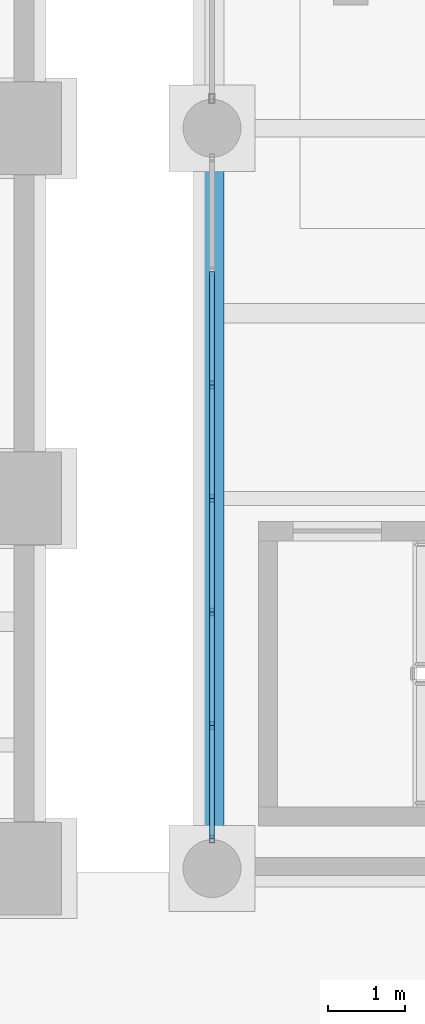
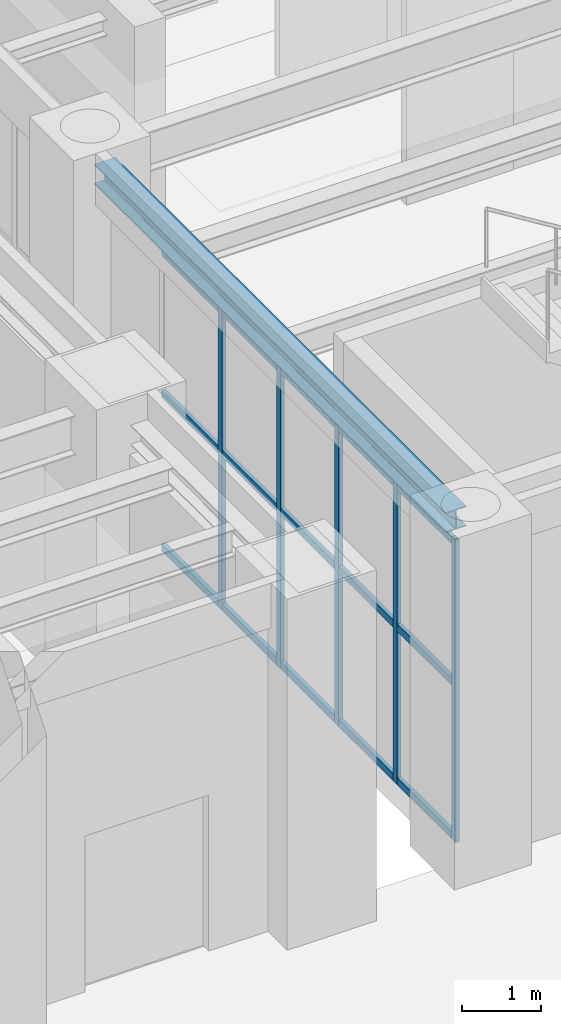
# One storey, part 41 of 164: 20 members, 1 beam, 1 element without a shape of its own.
"""IFC4 building model written with IfcOpenShell, lengths in metres."""

from ifc_helpers import new_model, si_unit, direction, frame, origin, origin_2d, place, context, subcontext, project, spatial, hollow_rectangle, i_section, extrude, material, material_profile, profile_set, type_object, element, aggregate, save


model = new_model("IFC4")

# Units and contexts
model_context = context("Model", 3, precision=1e-05, world=origin(), true_north=direction((0.0, 1.0)))
body_context = subcontext(model_context, "Body", "Model", "MODEL_VIEW")
ifc_project = project(units=[si_unit("LENGTHUNIT", "METRE"), si_unit("AREAUNIT", "SQUARE_METRE"), si_unit("VOLUMEUNIT", "CUBIC_METRE"), si_unit("PLANEANGLEUNIT", "RADIAN"), si_unit("MASSUNIT", "GRAM", prefix="KILO")], contexts=[model_context])

# Site, building, storey
site_placement = place(None, origin())
site = spatial("IfcSite", under=ifc_project, at=site_placement, CompositionType="ELEMENT")
building_placement = place(site_placement, origin())
building = spatial("IfcBuilding", under=site, at=building_placement, Name="Mavantir Sound Aquarium", CompositionType="ELEMENT")
storey_placement = place(building_placement, origin())
storey = spatial("IfcBuildingStorey", under=building, at=storey_placement, Name="L00", CompositionType="ELEMENT", Elevation=0.0)

# Beam
ifc_material_1 = material(Name="Structural Steel ASTM A992 Gr50", Category="steel")
ifc_material_profile_1 = material_profile(ifc_material_1, i_section(OverallWidth=0.304931640625, OverallDepth=0.30810546875, WebThickness=0.010009765625, FlangeThickness=0.015380859375, FilletRadius=0.014892578125, at=origin_2d()), Name="W310X97")
ifc_profile_set_1 = profile_set([ifc_material_profile_1], Name="Structural Steel ASTM A992 Gr50")
beam_type = type_object("IfcBeamType", Name="BM-W310X97-E", PredefinedType="SPANDREL", material=ifc_profile_set_1)
beam_placement = place(storey_placement, frame((36.0, 41.175048828125, 4.94189453125), z_axis=(0.0, 1.0, 0.0), x_axis=(-1.0, 0.0, 0.0)))
element("IfcBeam", 1, at=beam_placement, inside=storey, type_object=beam_type, Name="L00 primary girder SS-31A 877", PredefinedType="SPANDREL", context=body_context, shape_type="SweptSolid", body=[
    extrude(i_section(OverallWidth=0.304931640625, OverallDepth=0.30810546875, WebThickness=0.010009765625, FlangeThickness=0.015380859375, FilletRadius=0.014892578125, at=origin_2d()), origin(), (0.0, 0.0, 1.0), 8.849853515625),
])

# Curtain wall, members
ifc_material_2 = material(Name="Anodised Marine Aluminium and Low-E Glass", Category="aluminium")
curtain_wall_type = type_object("IfcCurtainWallType", Name="CW-T05", PredefinedType="USERDEFINED", material=ifc_material_2)
curtain_wall_placement = place(storey_placement, origin())
curtain_wall = element("IfcCurtainWall", 2, at=curtain_wall_placement, inside=storey, type_object=curtain_wall_type, Name="L00 unitised curtain wall CW-05 5", ObjectType="UNITISED GLAZING", PredefinedType="USERDEFINED")
ifc_material_3 = material(Name="Anodised Marine Aluminium 6063-T6", Category="aluminium")
ifc_material_profile_2 = material_profile(ifc_material_3, hollow_rectangle(XDim=0.06005859375, YDim=0.10009765625, WallThickness=0.00390625, at=origin_2d()), Name="ALU-MULLION-100X60")
ifc_profile_set_2 = profile_set([ifc_material_profile_2], Name="Anodised Marine Aluminium 6063-T6")
member_type_1 = type_object("IfcMemberType", Name="CW-MUL-100", PredefinedType="MULLION", material=ifc_profile_set_2)
member_1_placement = place(storey_placement, frame((36.0, 47.072265625, 0.0), z_axis=(0.0, 0.0, 1.0), x_axis=(1.0, 0.0, 0.0)))
member_1 = element("IfcMember", 3, at=member_1_placement, type_object=member_type_1, Name="CW-L00-005 vertical mullion 3", PredefinedType="MULLION", context=body_context, shape_type="SweptSolid", body=[
    extrude(hollow_rectangle(XDim=0.06005859375, YDim=0.10009765625, WallThickness=0.00390625, at=origin_2d()), origin(), (0.0, 0.0, 1.0), 4.64892578125),
])
member_2_placement = place(storey_placement, frame((36.0, 45.60009765625, 0.0), z_axis=(0.0, 0.0, 1.0), x_axis=(1.0, 0.0, 0.0)))
member_2 = element("IfcMember", 4, at=member_2_placement, type_object=member_type_1, Name="CW-L00-005 vertical mullion 4", PredefinedType="MULLION", context=body_context, shape_type="SweptSolid", body=[
    extrude(hollow_rectangle(XDim=0.06005859375, YDim=0.10009765625, WallThickness=0.00390625, at=origin_2d()), origin(), (0.0, 0.0, 1.0), 4.64892578125),
])
member_3_placement = place(storey_placement, frame((36.0, 44.127685546875, 0.0), z_axis=(0.0, 0.0, 1.0), x_axis=(1.0, 0.0, 0.0)))
member_3 = element("IfcMember", 5, at=member_3_placement, type_object=member_type_1, Name="CW-L00-005 vertical mullion 5", PredefinedType="MULLION", context=body_context, shape_type="SweptSolid", body=[
    extrude(hollow_rectangle(XDim=0.06005859375, YDim=0.10009765625, WallThickness=0.00390625, at=origin_2d()), origin(), (0.0, 0.0, 1.0), 4.64892578125),
])
member_4_placement = place(storey_placement, frame((36.0, 42.6552734375, 0.0), z_axis=(0.0, 0.0, 1.0), x_axis=(1.0, 0.0, 0.0)))
member_4 = element("IfcMember", 6, at=member_4_placement, type_object=member_type_1, Name="CW-L00-005 vertical mullion 6", PredefinedType="MULLION", context=body_context, shape_type="SweptSolid", body=[
    extrude(hollow_rectangle(XDim=0.06005859375, YDim=0.10009765625, WallThickness=0.00390625, at=origin_2d()), origin(), (0.0, 0.0, 1.0), 4.64892578125),
])
member_5_placement = place(storey_placement, frame((36.0, 41.18310546875, 0.0), z_axis=(0.0, 0.0, 1.0), x_axis=(1.0, 0.0, 0.0)))
member_5 = element("IfcMember", 7, at=member_5_placement, type_object=member_type_1, Name="CW-L00-005 vertical mullion 7", PredefinedType="MULLION", context=body_context, shape_type="SweptSolid", body=[
    extrude(hollow_rectangle(XDim=0.06005859375, YDim=0.10009765625, WallThickness=0.00390625, at=origin_2d()), origin(), (0.0, 0.0, 1.0), 4.64892578125),
])
ifc_material_profile_3 = material_profile(ifc_material_3, hollow_rectangle(XDim=0.06005859375, YDim=0.110107421875, WallThickness=0.00390625, at=origin_2d()), Name="ALU-TRANSOM-110X60")
ifc_profile_set_3 = profile_set([ifc_material_profile_3], Name="Anodised Marine Aluminium 6063-T6")
member_type_2 = type_object("IfcMemberType", Name="CW-TRN-110", PredefinedType="USERDEFINED", material=ifc_profile_set_3)
member_6_placement = place(storey_placement, frame((36.0, 48.544677734375, 0.054931640625), z_axis=(0.0, -1.0, 0.0), x_axis=(1.0, 0.0, 0.0)))
member_6 = element("IfcMember", 8, at=member_6_placement, type_object=member_type_2, Name="CW-L00-005 transom 2.1", ObjectType="TRANSOM", PredefinedType="USERDEFINED", context=body_context, shape_type="SweptSolid", body=[
    extrude(hollow_rectangle(XDim=0.06005859375, YDim=0.110107421875, WallThickness=0.00390625, at=origin_2d()), origin(), (0.0, 0.0, 1.0), 1.472412109375),
])
member_7_placement = place(storey_placement, frame((36.0, 48.544677734375, 2.41748046875), z_axis=(0.0, -1.0, 0.0), x_axis=(1.0, 0.0, 0.0)))
member_7 = element("IfcMember", 9, at=member_7_placement, type_object=member_type_2, Name="CW-L00-005 transom 2.2", ObjectType="TRANSOM", PredefinedType="USERDEFINED", context=body_context, shape_type="SweptSolid", body=[
    extrude(hollow_rectangle(XDim=0.06005859375, YDim=0.110107421875, WallThickness=0.00390625, at=origin_2d()), origin(), (0.0, 0.0, 1.0), 1.472412109375),
])
member_8_placement = place(storey_placement, frame((36.0, 48.544677734375, 4.593994140625), z_axis=(0.0, -1.0, 0.0), x_axis=(1.0, 0.0, 0.0)))
member_8 = element("IfcMember", 10, at=member_8_placement, type_object=member_type_2, Name="CW-L00-005 transom 2.3", ObjectType="TRANSOM", PredefinedType="USERDEFINED", context=body_context, shape_type="SweptSolid", body=[
    extrude(hollow_rectangle(XDim=0.06005859375, YDim=0.110107421875, WallThickness=0.00390625, at=origin_2d()), origin(), (0.0, 0.0, 1.0), 1.472412109375),
])
member_9_placement = place(storey_placement, frame((36.0, 47.072265625, 0.054931640625), z_axis=(0.0, -1.0, 0.0), x_axis=(1.0, 0.0, 0.0)))
member_9 = element("IfcMember", 11, at=member_9_placement, type_object=member_type_2, Name="CW-L00-005 transom 3.1", ObjectType="TRANSOM", PredefinedType="USERDEFINED", context=body_context, shape_type="SweptSolid", body=[
    extrude(hollow_rectangle(XDim=0.06005859375, YDim=0.110107421875, WallThickness=0.00390625, at=origin_2d()), origin(), (0.0, 0.0, 1.0), 1.47216796875),
])
member_10_placement = place(storey_placement, frame((36.0, 47.072265625, 2.41748046875), z_axis=(0.0, -1.0, 0.0), x_axis=(1.0, 0.0, 0.0)))
member_10 = element("IfcMember", 12, at=member_10_placement, type_object=member_type_2, Name="CW-L00-005 transom 3.2", ObjectType="TRANSOM", PredefinedType="USERDEFINED", context=body_context, shape_type="SweptSolid", body=[
    extrude(hollow_rectangle(XDim=0.06005859375, YDim=0.110107421875, WallThickness=0.00390625, at=origin_2d()), origin(), (0.0, 0.0, 1.0), 1.47216796875),
])
member_11_placement = place(storey_placement, frame((36.0, 47.072265625, 4.593994140625), z_axis=(0.0, -1.0, 0.0), x_axis=(1.0, 0.0, 0.0)))
member_11 = element("IfcMember", 13, at=member_11_placement, type_object=member_type_2, Name="CW-L00-005 transom 3.3", ObjectType="TRANSOM", PredefinedType="USERDEFINED", context=body_context, shape_type="SweptSolid", body=[
    extrude(hollow_rectangle(XDim=0.06005859375, YDim=0.110107421875, WallThickness=0.00390625, at=origin_2d()), origin(), (0.0, 0.0, 1.0), 1.47216796875),
])
member_12_placement = place(storey_placement, frame((36.0, 45.60009765625, 0.054931640625), z_axis=(0.0, -1.0, 0.0), x_axis=(1.0, 0.0, 0.0)))
member_12 = element("IfcMember", 14, at=member_12_placement, type_object=member_type_2, Name="CW-L00-005 transom 4.1", ObjectType="TRANSOM", PredefinedType="USERDEFINED", context=body_context, shape_type="SweptSolid", body=[
    extrude(hollow_rectangle(XDim=0.06005859375, YDim=0.110107421875, WallThickness=0.00390625, at=origin_2d()), origin(), (0.0, 0.0, 1.0), 1.472412109375),
])
member_13_placement = place(storey_placement, frame((36.0, 45.60009765625, 2.41748046875), z_axis=(0.0, -1.0, 0.0), x_axis=(1.0, 0.0, 0.0)))
member_13 = element("IfcMember", 15, at=member_13_placement, type_object=member_type_2, Name="CW-L00-005 transom 4.2", ObjectType="TRANSOM", PredefinedType="USERDEFINED", context=body_context, shape_type="SweptSolid", body=[
    extrude(hollow_rectangle(XDim=0.06005859375, YDim=0.110107421875, WallThickness=0.00390625, at=origin_2d()), origin(), (0.0, 0.0, 1.0), 1.472412109375),
])
member_14_placement = place(storey_placement, frame((36.0, 45.60009765625, 4.593994140625), z_axis=(0.0, -1.0, 0.0), x_axis=(1.0, 0.0, 0.0)))
member_14 = element("IfcMember", 16, at=member_14_placement, type_object=member_type_2, Name="CW-L00-005 transom 4.3", ObjectType="TRANSOM", PredefinedType="USERDEFINED", context=body_context, shape_type="SweptSolid", body=[
    extrude(hollow_rectangle(XDim=0.06005859375, YDim=0.110107421875, WallThickness=0.00390625, at=origin_2d()), origin(), (0.0, 0.0, 1.0), 1.472412109375),
])
member_15_placement = place(storey_placement, frame((36.0, 44.127685546875, 0.054931640625), z_axis=(0.0, -1.0, 0.0), x_axis=(1.0, 0.0, 0.0)))
member_15 = element("IfcMember", 17, at=member_15_placement, type_object=member_type_2, Name="CW-L00-005 transom 5.1", ObjectType="TRANSOM", PredefinedType="USERDEFINED", context=body_context, shape_type="SweptSolid", body=[
    extrude(hollow_rectangle(XDim=0.06005859375, YDim=0.110107421875, WallThickness=0.00390625, at=origin_2d()), origin(), (0.0, 0.0, 1.0), 1.472412109375),
])
member_16_placement = place(storey_placement, frame((36.0, 44.127685546875, 2.41748046875), z_axis=(0.0, -1.0, 0.0), x_axis=(1.0, 0.0, 0.0)))
member_16 = element("IfcMember", 18, at=member_16_placement, type_object=member_type_2, Name="CW-L00-005 transom 5.2", ObjectType="TRANSOM", PredefinedType="USERDEFINED", context=body_context, shape_type="SweptSolid", body=[
    extrude(hollow_rectangle(XDim=0.06005859375, YDim=0.110107421875, WallThickness=0.00390625, at=origin_2d()), origin(), (0.0, 0.0, 1.0), 1.472412109375),
])
member_17_placement = place(storey_placement, frame((36.0, 44.127685546875, 4.593994140625), z_axis=(0.0, -1.0, 0.0), x_axis=(1.0, 0.0, 0.0)))
member_17 = element("IfcMember", 19, at=member_17_placement, type_object=member_type_2, Name="CW-L00-005 transom 5.3", ObjectType="TRANSOM", PredefinedType="USERDEFINED", context=body_context, shape_type="SweptSolid", body=[
    extrude(hollow_rectangle(XDim=0.06005859375, YDim=0.110107421875, WallThickness=0.00390625, at=origin_2d()), origin(), (0.0, 0.0, 1.0), 1.472412109375),
])
member_18_placement = place(storey_placement, frame((36.0, 42.6552734375, 0.054931640625), z_axis=(0.0, -1.0, 0.0), x_axis=(1.0, 0.0, 0.0)))
member_18 = element("IfcMember", 20, at=member_18_placement, type_object=member_type_2, Name="CW-L00-005 transom 6.1", ObjectType="TRANSOM", PredefinedType="USERDEFINED", context=body_context, shape_type="SweptSolid", body=[
    extrude(hollow_rectangle(XDim=0.06005859375, YDim=0.110107421875, WallThickness=0.00390625, at=origin_2d()), origin(), (0.0, 0.0, 1.0), 1.47216796875),
])
member_19_placement = place(storey_placement, frame((36.0, 42.6552734375, 2.41748046875), z_axis=(0.0, -1.0, 0.0), x_axis=(1.0, 0.0, 0.0)))
member_19 = element("IfcMember", 21, at=member_19_placement, type_object=member_type_2, Name="CW-L00-005 transom 6.2", ObjectType="TRANSOM", PredefinedType="USERDEFINED", context=body_context, shape_type="SweptSolid", body=[
    extrude(hollow_rectangle(XDim=0.06005859375, YDim=0.110107421875, WallThickness=0.00390625, at=origin_2d()), origin(), (0.0, 0.0, 1.0), 1.47216796875),
])
member_20_placement = place(storey_placement, frame((36.0, 42.6552734375, 4.593994140625), z_axis=(0.0, -1.0, 0.0), x_axis=(1.0, 0.0, 0.0)))
member_20 = element("IfcMember", 22, at=member_20_placement, type_object=member_type_2, Name="CW-L00-005 transom 6.3", ObjectType="TRANSOM", PredefinedType="USERDEFINED", context=body_context, shape_type="SweptSolid", body=[
    extrude(hollow_rectangle(XDim=0.06005859375, YDim=0.110107421875, WallThickness=0.00390625, at=origin_2d()), origin(), (0.0, 0.0, 1.0), 1.47216796875),
])
aggregate(curtain_wall, [member_1, member_2, member_3, member_4, member_5, member_6, member_7, member_8, member_9, member_10, member_11, member_12, member_13, member_14, member_15, member_16, member_17, member_18, member_19, member_20])

save(model, "model.ifc")
